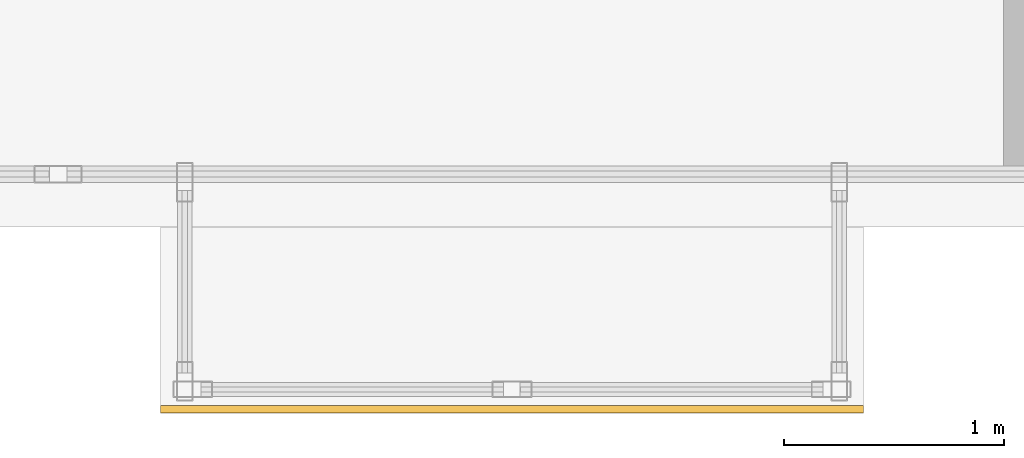
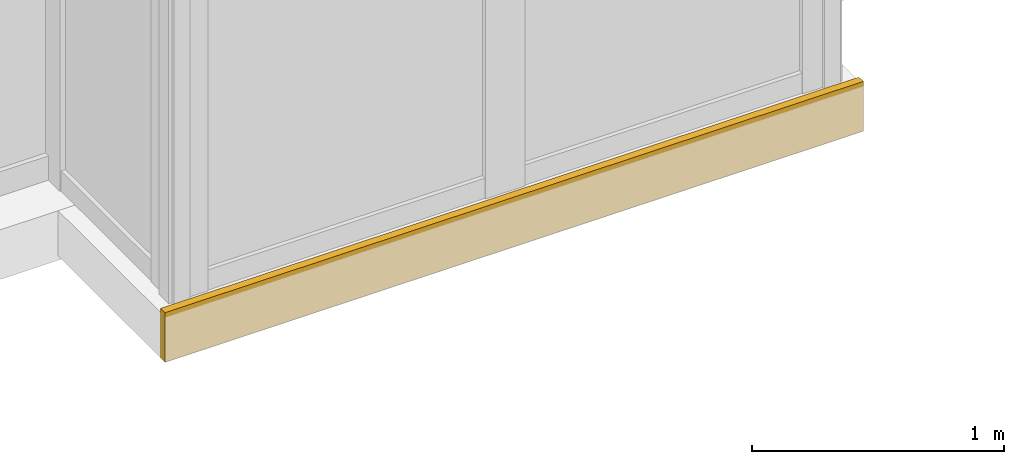
# One storey, part 23 of 24: 1 covering.
"""IFC4 building model written with IfcOpenShell, lengths in metres."""

from ifc_helpers import new_model, si_unit, direction, frame, origin, origin_2d, place, context, subcontext, project, spatial, rectangle, extrude, material, layer, layer_set, type_object, element, save


model = new_model("IFC4")

# Units and contexts
model_context = context("Model", 3, precision=1e-05, world=origin(), true_north=direction((0.0, 1.0)))
body_context = subcontext(model_context, "Body", "Model", "MODEL_VIEW")
ifc_project = project(units=[si_unit("LENGTHUNIT", "METRE"), si_unit("AREAUNIT", "SQUARE_METRE"), si_unit("VOLUMEUNIT", "CUBIC_METRE"), si_unit("PLANEANGLEUNIT", "RADIAN"), si_unit("MASSUNIT", "GRAM", prefix="KILO")], contexts=[model_context])

# Site, building, storey
site_placement = place(None, origin())
site = spatial("IfcSite", under=ifc_project, at=site_placement, CompositionType="ELEMENT")
building_placement = place(site_placement, origin())
building = spatial("IfcBuilding", under=site, at=building_placement, Name="Kolvaren Waterfront Exchange", CompositionType="ELEMENT")
storey_placement = place(building_placement, frame((0.0, 0.0, 208.300048828125)))
storey = spatial("IfcBuildingStorey", under=building, at=storey_placement, Name="L53", CompositionType="ELEMENT", Elevation=208.300048828125)

# Covering
ifc_material = material(Name="Anodised bronze fascia aluminium", Category="aluminium")
ifc_layer = layer(ifc_material, 0.034912109375, Name="Anodised bronze fascia aluminium")
ifc_layer_set = layer_set([ifc_layer], Name="Anodised bronze fascia aluminium")
covering_type = type_object("IfcCoveringType", Name="ARC-CLAD-BRONZE-35", PredefinedType="CLADDING", material=ifc_layer_set)
covering_placement = place(storey_placement, frame((36.300048828125, 2.77001953125, -0.22021484375), z_axis=(0.0, 0.0, 1.0), x_axis=(1.0, 0.0, 0.0)))
element("IfcCovering", 1, at=covering_placement, inside=storey, type_object=covering_type, Name="L53 ribbed anodised bronze bay-box fascia", PredefinedType="CLADDING", context=body_context, shape_type="SweptSolid", body=[
    extrude(rectangle(XDim=3.199951171875, YDim=0.034912109375, at=origin_2d()), origin(), (0.0, 0.0, 1.0), 0.239990234375),
])

save(model, "model.ifc")
